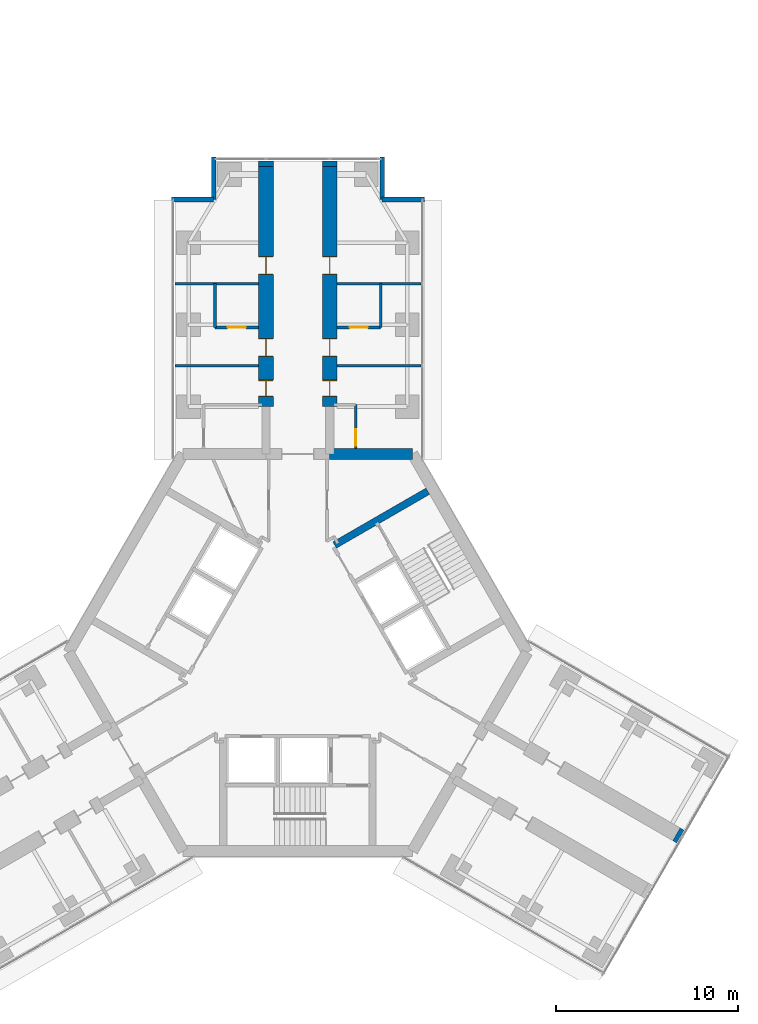
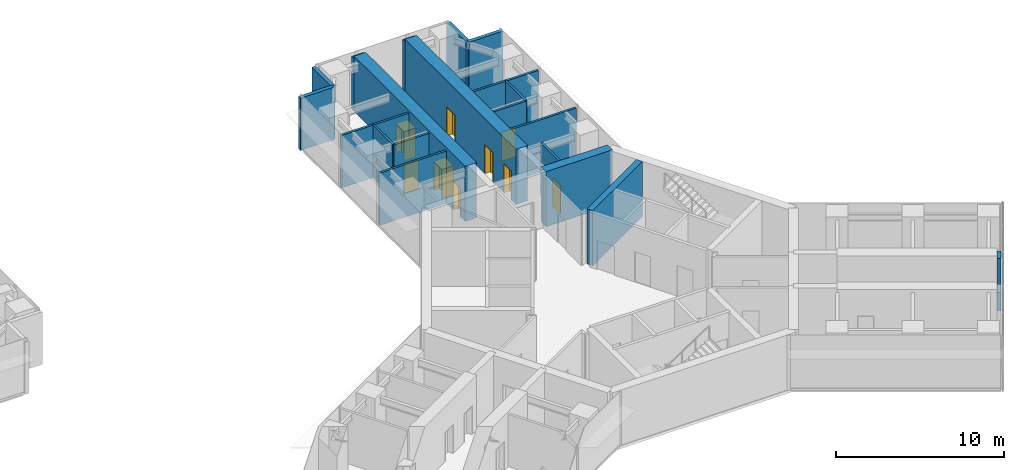
# One storey, part 20 of 22: 20 walls, 9 doors, 9 openings.
"""IFC4 building model written with IfcOpenShell, lengths in metres."""

import ifcopenshell
import ifcopenshell.guid

model = None  # the IFC model being written
_history = None  # IfcOwnerHistory: only IFC2X3 demands one
_inside = {}  # id of a spatial element -> (the spatial element, [elements in it])
_under = {}  # id of a project, library or spatial element -> (it, [spatial elements below it])
_declared = {}  # id of a project -> (the project, [libraries it declares])
_typed = {}  # id of a type object -> (the type object, [elements of that type])
_made_of = {}  # id of a material, layer set ... -> (it, [elements and type objects made of it])


def new_model(schema):
    """Start an empty IFC model of exactly this schema.

    Asked for "IFC4X3", IfcOpenShell would pick the latest addendum, in which some entities
    have other attributes; the version numbers below select the first issue.
    IFC2X3 requires an IfcOwnerHistory on every rooted entity: one is made here for all.
    """
    global model, _history
    if schema == "IFC4X3":
        model = ifcopenshell.file(schema_version=(4, 3, 0, 0))
    else:
        model = ifcopenshell.file(schema=schema)
    _inside.clear()
    _under.clear()
    _declared.clear()
    _typed.clear()
    _made_of.clear()
    _history = None
    if model.schema == "IFC2X3":
        org = make("IfcOrganization", Name="unknown")
        user = make(
            "IfcPersonAndOrganization",
            ThePerson=make("IfcPerson", FamilyName="unknown"),
            TheOrganization=org,
        )
        app = make(
            "IfcApplication",
            ApplicationDeveloper=org,
            Version="unknown",
            ApplicationFullName="unknown",
            ApplicationIdentifier="unknown",
        )
        _history = make(
            "IfcOwnerHistory",
            OwningUser=user,
            OwningApplication=app,
            ChangeAction="ADDED",
            CreationDate=0,
        )
    return model


def make(cls, **values):
    """One entity of the class cls with the attributes given. An attribute that is None is left unset."""
    return model.create_entity(
        cls, **{name: value for name, value in values.items() if value is not None}
    )


def rooted(cls, **values):
    """An entity with a GlobalId (a new one), such as an element, a storey or a relation."""
    return make(cls, GlobalId=ifcopenshell.guid.new(), OwnerHistory=_history, **values)


def si_unit(unit_type, name, prefix=None):
    """IfcSIUnit, for example si_unit("LENGTHUNIT", "METRE", prefix="MILLI")."""
    return make("IfcSIUnit", UnitType=unit_type, Prefix=prefix, Name=name)


def assignment(units):
    """IfcUnitAssignment: the units of a project."""
    return None if units is None else make("IfcUnitAssignment", Units=units)


def point(xyz):
    """IfcCartesianPoint."""
    return None if xyz is None else make("IfcCartesianPoint", Coordinates=xyz)


def direction(xyz):
    """IfcDirection."""
    return None if xyz is None else make("IfcDirection", DirectionRatios=xyz)


def frame(location, z_axis=None, x_axis=None):
    """IfcAxis2Placement3D, a coordinate frame: its origin and axes. An axis left out is left unset."""
    return make(
        "IfcAxis2Placement3D",
        Location=point(location),
        Axis=direction(z_axis),
        RefDirection=direction(x_axis),
    )


def frame_2d(location, x_axis=None):
    """IfcAxis2Placement2D, a coordinate frame in the plane: its origin and x axis."""
    return make(
        "IfcAxis2Placement2D", Location=point(location), RefDirection=direction(x_axis)
    )


def origin():
    """The frame at (0, 0, 0) with its axes left unset."""
    return frame((0.0, 0.0, 0.0))


def place(relative_to, where):
    """IfcLocalPlacement: puts the frame where relative to a parent placement (None: the world)."""
    return make(
        "IfcLocalPlacement", PlacementRelTo=relative_to, RelativePlacement=where
    )


def context(
    kind, dimensions, precision=None, world=None, true_north=None, identifier=None
):
    """IfcGeometricRepresentationContext, for example the 3D "Model" context."""
    return make(
        "IfcGeometricRepresentationContext",
        ContextIdentifier=identifier,
        ContextType=kind,
        CoordinateSpaceDimension=dimensions,
        Precision=precision,
        WorldCoordinateSystem=world,
        TrueNorth=true_north,
    )


def subcontext(parent, identifier, kind, view, scale=None):
    """IfcGeometricRepresentationSubContext, for example "Body" below "Model"."""
    return make(
        "IfcGeometricRepresentationSubContext",
        ContextIdentifier=identifier,
        ContextType=kind,
        ParentContext=parent,
        TargetScale=scale,
        TargetView=view,
    )


def project(units=None, contexts=None):
    """IfcProject with its units and contexts."""
    return rooted(
        "IfcProject",
        Name="project",
        RepresentationContexts=contexts,
        UnitsInContext=assignment(units),
    )


def spatial(cls, under=None, at=None, **own):
    """A site, building, storey or space (cls), placed at a placement, below another one or the project."""
    s = rooted(cls, ObjectPlacement=at, **own)
    if under is not None:
        _under.setdefault(under.id(), (under, []))[1].append(s)
    return s


def profile(cls, at=None, kind="AREA", **sizes):
    """A parametric profile (cls). Its sizes go by their IFC names, for example OverallWidth=200.0."""
    return make(cls, ProfileType=kind, Position=at, **sizes)


def rectangle(**sizes):
    """IfcRectangleProfileDef."""
    return profile("IfcRectangleProfileDef", **sizes)


def extrude(swept, where, along, depth):
    """IfcExtrudedAreaSolid: the profile swept, set in the frame where, extruded along a direction by depth."""
    return make(
        "IfcExtrudedAreaSolid",
        SweptArea=swept,
        Position=where,
        ExtrudedDirection=direction(along),
        Depth=depth,
    )


def shape(context_of_items, identifier, shape_type, items):
    """IfcShapeRepresentation: the items that make up one representation, for example the "Body"."""
    return make(
        "IfcShapeRepresentation",
        ContextOfItems=context_of_items,
        RepresentationIdentifier=identifier,
        RepresentationType=shape_type,
        Items=items,
    )


def material(Name=None, Category=None):
    """IfcMaterial."""
    return make("IfcMaterial", Name=Name, Category=Category)


def layer(
    of_material, thickness, ventilated=None, Name=None, Category=None, Priority=None
):
    """IfcMaterialLayer: one layer of a wall or slab, of a material (None: an air gap)."""
    return make(
        "IfcMaterialLayer",
        Material=of_material,
        LayerThickness=thickness,
        IsVentilated=ventilated,
        Name=Name,
        Category=Category,
        Priority=Priority,
    )


def layer_set(layers, Name=None):
    """IfcMaterialLayerSet."""
    return make("IfcMaterialLayerSet", MaterialLayers=layers, LayerSetName=Name)


def made_of(thing, what):
    """Note that an element or type object is made of a material, layer set ...; save() writes the relation."""
    if what is not None:
        _made_of.setdefault(what.id(), (what, []))[1].append(thing)
    return thing


def type_object(cls, material=None, **own):
    """A type object (cls), such as IfcWallType, which elements share."""
    return made_of(rooted(cls, **own), material)


def element(
    cls,
    number,
    at=None,
    inside=None,
    cuts=None,
    type_object=None,
    material=None,
    context=None,
    identifier="Body",
    shape_type=None,
    held_by="IfcProductDefinitionShape",
    body=None,
    shapes=None,
    **own,
):
    """One element of the class cls, such as IfcWall. Its Tag is "e" and its number.

    at: its placement. inside: the storey or other place that contains it. cuts: it is an
    opening in that element (IfcRelVoidsElement). A single representation is given by context,
    identifier, shape_type and body (its items); several are given by shapes. held_by: the class
    of the entity that holds the representations. save() writes the other relations.
    """
    e = rooted(cls, Tag="e%d" % number, ObjectPlacement=at, **own)
    if body is not None:
        shapes = [shape(context, identifier, shape_type, body)]
    if shapes is not None:
        e.Representation = make(held_by, Representations=shapes)
    if inside is not None:
        _inside.setdefault(inside.id(), (inside, []))[1].append(e)
    if cuts is not None:
        rooted(
            "IfcRelVoidsElement", RelatingBuildingElement=cuts, RelatedOpeningElement=e
        )
    if type_object is not None:
        _typed.setdefault(type_object.id(), (type_object, []))[1].append(e)
    return made_of(e, material)


def fill(opening, filler):
    """IfcRelFillsElement: the door or window that sits in an opening."""
    return rooted(
        "IfcRelFillsElement",
        RelatingOpeningElement=opening,
        RelatedBuildingElement=filler,
    )


def aggregate(whole, parts):
    """IfcRelAggregates: a whole, such as a stair, and the parts it consists of."""
    return rooted("IfcRelAggregates", RelatingObject=whole, RelatedObjects=parts)


def save(model, path):
    """Write the relations noted so far, then the file.

    IfcRelAggregates (storeys below a building ...), IfcRelContainedInSpatialStructure (elements
    in a storey), IfcRelDefinesByType, IfcRelAssociatesMaterial and IfcRelDeclares: one each for
    every whole, place, type object, material and project.
    """
    for whole, parts in _under.values():
        aggregate(whole, parts)
    for where, things in _inside.values():
        rooted(
            "IfcRelContainedInSpatialStructure",
            RelatedElements=things,
            RelatingStructure=where,
        )
    for kind, things in _typed.values():
        rooted("IfcRelDefinesByType", RelatedObjects=things, RelatingType=kind)
    for what, things in _made_of.values():
        rooted("IfcRelAssociatesMaterial", RelatedObjects=things, RelatingMaterial=what)
    for by, libraries in _declared.values():
        rooted("IfcRelDeclares", RelatingContext=by, RelatedDefinitions=libraries)
    model.write(path)


model = new_model("IFC4")

# Units and contexts
model_context = context("Model", 3, precision=1e-05, world=origin(), true_north=direction((0.0, 1.0)))
body_context = subcontext(model_context, "Body", "Model", "MODEL_VIEW")
ifc_project = project(units=[si_unit("LENGTHUNIT", "METRE"), si_unit("AREAUNIT", "SQUARE_METRE"), si_unit("VOLUMEUNIT", "CUBIC_METRE"), si_unit("PLANEANGLEUNIT", "RADIAN"), si_unit("MASSUNIT", "GRAM", prefix="KILO")], contexts=[model_context])

# Site, building, storey
site_placement = place(None, origin())
site = spatial("IfcSite", under=ifc_project, at=site_placement, CompositionType="ELEMENT")
building_placement = place(site_placement, origin())
building = spatial("IfcBuilding", under=site, at=building_placement, Name="Upepo Twin Towers", CompositionType="ELEMENT")
storey_placement = place(building_placement, frame((0.0, 0.0, 121.5)))
storey = spatial("IfcBuildingStorey", under=building, at=storey_placement, Name="L29", CompositionType="ELEMENT", Elevation=121.5)

# Walls
ifc_material_1 = material(Name="Dense concrete blockwork", Category="masonry")
ifc_layer_1 = layer(ifc_material_1, 0.800048828125)
ifc_layer_set_1 = layer_set([ifc_layer_1], Name="Buttress closer 800, blockwork with fire-stopping to the curtain wall")
wall_type_1 = type_object("IfcWallType", Name="Buttress closer 800, blockwork with fire-stopping to the curtain wall", PredefinedType="PARTITIONING", material=ifc_layer_set_1)
for number, where, z_axis, x_axis, name in (
    (1, (56.75, 8.699951171875, 0.0), (0.0, 0.0, 1.0), (0.0, 1.0, 0.0), "T2 L29 wing A buttress closer L"),
    (2, (60.25, 8.699951171875, 0.0), (0.0, 0.0, 1.0), (0.0, 1.0, 0.0), "T2 L29 wing A buttress closer R"),
):
    element("IfcWall", number, at=place(storey_placement, frame(where, z_axis=z_axis, x_axis=x_axis)), inside=storey, type_object=wall_type_1, Name=name, PredefinedType="PARTITIONING", context=body_context, shape_type="SweptSolid", body=[
        extrude(rectangle(XDim=0.300048828125, YDim=0.800048828125, at=frame_2d((0.14990234375, 0.0))), origin(), (0.0, 0.0, 1.0), 3.800048828125),
    ])
wall_1_placement = place(storey_placement, frame((79.293701171875, -27.984375, 0.0), z_axis=(0.0, 0.0, 1.0), x_axis=(0.865827443207, -0.500342721131, 0.0)))
element("IfcWall", 3, at=wall_1_placement, inside=storey, type_object=wall_type_1, Name="T2 L29 wing C buttress closer L", PredefinedType="PARTITIONING", context=body_context, shape_type="SweptSolid", body=[
    extrude(rectangle(XDim=0.249755859375, YDim=0.800048828125, at=frame_2d((0.125, 0.0))), origin(), (0.0, 0.0, 1.0), 3.800048828125),
])

# Wall, openings, doors
ifc_material_2 = material(Name="Concrete C60/75", Category="concrete")
ifc_layer_2 = layer(ifc_material_2, 0.800048828125)
ifc_layer_set_2 = layer_set([ifc_layer_2], Name="Concrete C60/75")
wall_type_2 = type_object("IfcWallType", Name="Buttress wall 800 RC", PredefinedType="SHEAR", material=ifc_layer_set_2)
wall_2_placement = place(storey_placement, frame((56.75, -4.5, 0.0), z_axis=(0.0, 0.0, 1.0), x_axis=(0.0, 1.0, 0.0)))
wall_2 = element("IfcWall", 4, at=wall_2_placement, inside=storey, type_object=wall_type_2, Name="T2 wing A buttress wall L part 2", PredefinedType="SHEAR", context=body_context, shape_type="SweptSolid", body=[
    extrude(rectangle(XDim=13.199951171875, YDim=0.800048828125, at=frame_2d((6.60009765625, 0.0))), origin(), (0.0, 0.0, 1.0), 4.0),
])
opening_1_placement = place(wall_2_placement, frame((0.550048828125, 0.0, 0.0)))
opening_1 = element("IfcOpeningElement", 5, at=opening_1_placement, cuts=wall_2, Name="Opening D11", PredefinedType="OPENING", context=body_context, shape_type="SweptSolid", body=[
    extrude(rectangle(XDim=0.89990234375, YDim=2.10009765625, at=frame_2d((0.449951171875, 1.050048828125))), frame((0.0, 0.409912109375, 0.0), z_axis=(0.0, -1.0, 0.0), x_axis=(1.0, 0.0, 0.0)), (0.0, 0.0, 1.0), 0.820068359375),
])
opening_2_placement = place(wall_2_placement, frame((2.75, 0.0, 0.0)))
opening_2 = element("IfcOpeningElement", 6, at=opening_2_placement, cuts=wall_2, Name="Opening D1", PredefinedType="OPENING", context=body_context, shape_type="SweptSolid", body=[
    extrude(rectangle(XDim=1.0, YDim=2.10009765625, at=frame_2d((0.5, 1.050048828125))), frame((0.0, 0.409912109375, 0.0), z_axis=(0.0, -1.0, 0.0), x_axis=(1.0, 0.0, 0.0)), (0.0, 0.0, 1.0), 0.820068359375),
])
opening_3_placement = place(wall_2_placement, frame((7.25, 0.0, 0.0)))
opening_3 = element("IfcOpeningElement", 7, at=opening_3_placement, cuts=wall_2, Name="Opening D1", PredefinedType="OPENING", context=body_context, shape_type="SweptSolid", body=[
    extrude(rectangle(XDim=1.0, YDim=2.10009765625, at=frame_2d((0.5, 1.050048828125))), frame((0.0, 0.409912109375, 0.0), z_axis=(0.0, -1.0, 0.0), x_axis=(1.0, 0.0, 0.0)), (0.0, 0.0, 1.0), 0.820068359375),
])
ifc_material_3 = material(Name="Timber doorset", Category="wood")
door_type_1 = type_object("IfcDoorType", Name="Room door 1000 FD30", OperationType="SINGLE_SWING_LEFT", PredefinedType="DOOR", material=ifc_material_3)
door_1_placement = place(opening_2_placement, origin())
door_1 = element("IfcDoor", 8, at=door_1_placement, inside=storey, type_object=door_type_1, Name="T2 L29 tutorial room door", OperationType="SINGLE_SWING_LEFT", OverallHeight=2.10009765625, OverallWidth=1.0, PredefinedType="DOOR", context=body_context, shape_type="SweptSolid", body=[
    extrude(rectangle(XDim=0.92, YDim=2.06009765625, at=frame_2d((0.5, 1.030029296875))), frame((0.0, 0.02490234375, 0.0), z_axis=(0.0, -1.0, 0.0), x_axis=(1.0, 0.0, 0.0)), (0.0, 0.0, 1.0), 0.050048828125),
    extrude(rectangle(XDim=0.04, YDim=2.10009765625, at=frame_2d((0.02001953125, 1.050048828125))), frame((0.0, 0.39990234375, 0.0), z_axis=(0.0, -1.0, 0.0), x_axis=(1.0, 0.0, 0.0)), (0.0, 0.0, 1.0), 0.799560546875),
    extrude(rectangle(XDim=0.04, YDim=2.10009765625, at=frame_2d((0.97998046875, 1.050048828125))), frame((0.0, 0.39990234375, 0.0), z_axis=(0.0, -1.0, 0.0), x_axis=(1.0, 0.0, 0.0)), (0.0, 0.0, 1.0), 0.799560546875),
    extrude(rectangle(XDim=0.92, YDim=0.04, at=frame_2d((0.5, 2.080078125))), frame((0.0, 0.39990234375, 0.0), z_axis=(0.0, -1.0, 0.0), x_axis=(1.0, 0.0, 0.0)), (0.0, 0.0, 1.0), 0.799560546875),
])
fill(opening_2, door_1)
door_2_placement = place(opening_3_placement, origin())
door_2 = element("IfcDoor", 9, at=door_2_placement, inside=storey, type_object=door_type_1, Name="T2 L29 staff office door", OperationType="SINGLE_SWING_RIGHT", OverallHeight=2.10009765625, OverallWidth=1.0, PredefinedType="DOOR", context=body_context, shape_type="SweptSolid", body=[
    extrude(rectangle(XDim=0.92, YDim=2.06009765625, at=frame_2d((0.5, 1.030029296875))), frame((0.0, 0.02490234375, 0.0), z_axis=(0.0, -1.0, 0.0), x_axis=(1.0, 0.0, 0.0)), (0.0, 0.0, 1.0), 0.050048828125),
    extrude(rectangle(XDim=0.04, YDim=2.10009765625, at=frame_2d((0.02001953125, 1.050048828125))), frame((0.0, 0.39990234375, 0.0), z_axis=(0.0, -1.0, 0.0), x_axis=(1.0, 0.0, 0.0)), (0.0, 0.0, 1.0), 0.799560546875),
    extrude(rectangle(XDim=0.04, YDim=2.10009765625, at=frame_2d((0.97998046875, 1.050048828125))), frame((0.0, 0.39990234375, 0.0), z_axis=(0.0, -1.0, 0.0), x_axis=(1.0, 0.0, 0.0)), (0.0, 0.0, 1.0), 0.799560546875),
    extrude(rectangle(XDim=0.92, YDim=0.04, at=frame_2d((0.5, 2.080078125))), frame((0.0, 0.39990234375, 0.0), z_axis=(0.0, -1.0, 0.0), x_axis=(1.0, 0.0, 0.0)), (0.0, 0.0, 1.0), 0.799560546875),
])
fill(opening_3, door_2)
ifc_material_4 = material(Name="Timber doorset", Category="wood")
door_type_2 = type_object("IfcDoorType", Name="Toilet door 900", OperationType="SINGLE_SWING_LEFT", PredefinedType="DOOR", material=ifc_material_4)
door_3_placement = place(opening_1_placement, origin())
door_3 = element("IfcDoor", 10, at=door_3_placement, inside=storey, type_object=door_type_2, Name="T2 L29 accessible wc door", OperationType="SINGLE_SWING_LEFT", OverallHeight=2.10009765625, OverallWidth=0.89990234375, PredefinedType="DOOR", context=body_context, shape_type="SweptSolid", body=[
    extrude(rectangle(XDim=0.81990234375, YDim=2.06009765625, at=frame_2d((0.449951171875, 1.030029296875))), frame((0.0, 0.02490234375, 0.0), z_axis=(0.0, -1.0, 0.0), x_axis=(1.0, 0.0, 0.0)), (0.0, 0.0, 1.0), 0.050048828125),
    extrude(rectangle(XDim=0.04, YDim=2.10009765625, at=frame_2d((0.02001953125, 1.050048828125))), frame((0.0, 0.39990234375, 0.0), z_axis=(0.0, -1.0, 0.0), x_axis=(1.0, 0.0, 0.0)), (0.0, 0.0, 1.0), 0.799560546875),
    extrude(rectangle(XDim=0.04, YDim=2.10009765625, at=frame_2d((0.8798828125, 1.050048828125))), frame((0.0, 0.39990234375, 0.0), z_axis=(0.0, -1.0, 0.0), x_axis=(1.0, 0.0, 0.0)), (0.0, 0.0, 1.0), 0.799560546875),
    extrude(rectangle(XDim=0.81990234375, YDim=0.04, at=frame_2d((0.449951171875, 2.080078125))), frame((0.0, 0.39990234375, 0.0), z_axis=(0.0, -1.0, 0.0), x_axis=(1.0, 0.0, 0.0)), (0.0, 0.0, 1.0), 0.799560546875),
])
fill(opening_1, door_3)

wall_3_placement = place(storey_placement, frame((60.25, -4.5, 0.0), z_axis=(0.0, 0.0, 1.0), x_axis=(0.0, 1.0, 0.0)))
wall_3 = element("IfcWall", 11, at=wall_3_placement, inside=storey, type_object=wall_type_2, Name="T2 wing A buttress wall R part 2", PredefinedType="SHEAR", context=body_context, shape_type="SweptSolid", body=[
    extrude(rectangle(XDim=13.199951171875, YDim=0.800048828125, at=frame_2d((6.60009765625, 0.0))), origin(), (0.0, 0.0, 1.0), 4.0),
])
opening_4_placement = place(wall_3_placement, frame((0.550048828125, 0.0, 0.0)))
opening_4 = element("IfcOpeningElement", 12, at=opening_4_placement, cuts=wall_3, Name="Opening D11", PredefinedType="OPENING", context=body_context, shape_type="SweptSolid", body=[
    extrude(rectangle(XDim=0.89990234375, YDim=2.10009765625, at=frame_2d((0.449951171875, 1.050048828125))), frame((0.0, 0.409912109375, 0.0), z_axis=(0.0, -1.0, 0.0), x_axis=(1.0, 0.0, 0.0)), (0.0, 0.0, 1.0), 0.820068359375),
])
opening_5_placement = place(wall_3_placement, frame((2.75, 0.0, 0.0)))
opening_5 = element("IfcOpeningElement", 13, at=opening_5_placement, cuts=wall_3, Name="Opening D1", PredefinedType="OPENING", context=body_context, shape_type="SweptSolid", body=[
    extrude(rectangle(XDim=1.0, YDim=2.10009765625, at=frame_2d((0.5, 1.050048828125))), frame((0.0, 0.409912109375, 0.0), z_axis=(0.0, -1.0, 0.0), x_axis=(1.0, 0.0, 0.0)), (0.0, 0.0, 1.0), 0.820068359375),
])
opening_6_placement = place(wall_3_placement, frame((7.25, 0.0, 0.0)))
opening_6 = element("IfcOpeningElement", 14, at=opening_6_placement, cuts=wall_3, Name="Opening D1", PredefinedType="OPENING", context=body_context, shape_type="SweptSolid", body=[
    extrude(rectangle(XDim=1.0, YDim=2.10009765625, at=frame_2d((0.5, 1.050048828125))), frame((0.0, 0.409912109375, 0.0), z_axis=(0.0, -1.0, 0.0), x_axis=(1.0, 0.0, 0.0)), (0.0, 0.0, 1.0), 0.820068359375),
])
door_4_placement = place(opening_5_placement, origin())
door_4 = element("IfcDoor", 15, at=door_4_placement, inside=storey, type_object=door_type_1, Name="T2 L29 seminar room door", OperationType="SINGLE_SWING_LEFT", OverallHeight=2.10009765625, OverallWidth=1.0, PredefinedType="DOOR", context=body_context, shape_type="SweptSolid", body=[
    extrude(rectangle(XDim=0.92, YDim=2.06009765625, at=frame_2d((0.5, 1.030029296875))), frame((0.0, 0.02490234375, 0.0), z_axis=(0.0, -1.0, 0.0), x_axis=(1.0, 0.0, 0.0)), (0.0, 0.0, 1.0), 0.050048828125),
    extrude(rectangle(XDim=0.04, YDim=2.10009765625, at=frame_2d((0.02001953125, 1.050048828125))), frame((0.0, 0.39990234375, 0.0), z_axis=(0.0, -1.0, 0.0), x_axis=(1.0, 0.0, 0.0)), (0.0, 0.0, 1.0), 0.799560546875),
    extrude(rectangle(XDim=0.04, YDim=2.10009765625, at=frame_2d((0.97998046875, 1.050048828125))), frame((0.0, 0.39990234375, 0.0), z_axis=(0.0, -1.0, 0.0), x_axis=(1.0, 0.0, 0.0)), (0.0, 0.0, 1.0), 0.799560546875),
    extrude(rectangle(XDim=0.92, YDim=0.04, at=frame_2d((0.5, 2.080078125))), frame((0.0, 0.39990234375, 0.0), z_axis=(0.0, -1.0, 0.0), x_axis=(1.0, 0.0, 0.0)), (0.0, 0.0, 1.0), 0.799560546875),
])
fill(opening_5, door_4)
door_5_placement = place(opening_6_placement, origin())
door_5 = element("IfcDoor", 16, at=door_5_placement, inside=storey, type_object=door_type_1, Name="T2 L29 tutorial room door", OperationType="SINGLE_SWING_RIGHT", OverallHeight=2.10009765625, OverallWidth=1.0, PredefinedType="DOOR", context=body_context, shape_type="SweptSolid", body=[
    extrude(rectangle(XDim=0.92, YDim=2.06009765625, at=frame_2d((0.5, 1.030029296875))), frame((0.0, 0.02490234375, 0.0), z_axis=(0.0, -1.0, 0.0), x_axis=(1.0, 0.0, 0.0)), (0.0, 0.0, 1.0), 0.050048828125),
    extrude(rectangle(XDim=0.04, YDim=2.10009765625, at=frame_2d((0.02001953125, 1.050048828125))), frame((0.0, 0.39990234375, 0.0), z_axis=(0.0, -1.0, 0.0), x_axis=(1.0, 0.0, 0.0)), (0.0, 0.0, 1.0), 0.799560546875),
    extrude(rectangle(XDim=0.04, YDim=2.10009765625, at=frame_2d((0.97998046875, 1.050048828125))), frame((0.0, 0.39990234375, 0.0), z_axis=(0.0, -1.0, 0.0), x_axis=(1.0, 0.0, 0.0)), (0.0, 0.0, 1.0), 0.799560546875),
    extrude(rectangle(XDim=0.92, YDim=0.04, at=frame_2d((0.5, 2.080078125))), frame((0.0, 0.39990234375, 0.0), z_axis=(0.0, -1.0, 0.0), x_axis=(1.0, 0.0, 0.0)), (0.0, 0.0, 1.0), 0.799560546875),
])
fill(opening_6, door_5)
door_6_placement = place(opening_4_placement, origin())
door_6 = element("IfcDoor", 17, at=door_6_placement, inside=storey, type_object=door_type_2, Name="T2 L29 toilets door", OperationType="SINGLE_SWING_LEFT", OverallHeight=2.10009765625, OverallWidth=0.89990234375, PredefinedType="DOOR", context=body_context, shape_type="SweptSolid", body=[
    extrude(rectangle(XDim=0.81990234375, YDim=2.06009765625, at=frame_2d((0.449951171875, 1.030029296875))), frame((0.0, 0.02490234375, 0.0), z_axis=(0.0, -1.0, 0.0), x_axis=(1.0, 0.0, 0.0)), (0.0, 0.0, 1.0), 0.050048828125),
    extrude(rectangle(XDim=0.04, YDim=2.10009765625, at=frame_2d((0.02001953125, 1.050048828125))), frame((0.0, 0.39990234375, 0.0), z_axis=(0.0, -1.0, 0.0), x_axis=(1.0, 0.0, 0.0)), (0.0, 0.0, 1.0), 0.799560546875),
    extrude(rectangle(XDim=0.04, YDim=2.10009765625, at=frame_2d((0.8798828125, 1.050048828125))), frame((0.0, 0.39990234375, 0.0), z_axis=(0.0, -1.0, 0.0), x_axis=(1.0, 0.0, 0.0)), (0.0, 0.0, 1.0), 0.799560546875),
    extrude(rectangle(XDim=0.81990234375, YDim=0.04, at=frame_2d((0.449951171875, 2.080078125))), frame((0.0, 0.39990234375, 0.0), z_axis=(0.0, -1.0, 0.0), x_axis=(1.0, 0.0, 0.0)), (0.0, 0.0, 1.0), 0.799560546875),
])
fill(opening_4, door_6)

# Walls
ifc_material_5 = material(Name="Concrete C60/75", Category="concrete")
ifc_layer_3 = layer(ifc_material_5, 0.60009765625)
ifc_layer_set_3 = layer_set([ifc_layer_3], Name="Concrete C60/75")
wall_type_3 = type_object("IfcWallType", Name="Core wall 600 RC", PredefinedType="SHEAR", material=ifc_layer_set_3)
wall_4_placement = place(storey_placement, frame((64.7978515625, -7.091552734375, 0.0), z_axis=(0.0, 0.0, 1.0), x_axis=(-1.0, 0.0, 0.0)))
element("IfcWall", 18, at=wall_4_placement, inside=storey, type_object=wall_type_3, Name="T2 core wall 000 R", PredefinedType="SHEAR", context=body_context, shape_type="SweptSolid", body=[
    extrude(rectangle(XDim=4.5478515625, YDim=0.60009765625, at=frame_2d((2.27392578125, 0.0))), origin(), (0.0, 0.0, 1.0), 4.0),
])
ifc_material_6 = material(Name="Blockwork with anodised aluminium cladding", Category="masonry")
ifc_layer_4 = layer(ifc_material_6, 0.25)
ifc_layer_set_4 = layer_set([ifc_layer_4], Name="Notch cladding wall 250, pale metal")
wall_type_4 = type_object("IfcWallType", Name="Notch cladding wall 250, pale metal", PredefinedType="STANDARD", material=ifc_layer_set_4)
for number, where, z_axis, x_axis, name in (
    (19, (51.550048828125, 6.875, 0.0), (0.0, 0.0, 1.0), (1.0, 0.0, 0.0), "T2 L29 wing A notch wall L1"),
    (20, (53.875, 6.875, 0.0), (0.0, 0.0, 1.0), (0.0, 1.0, 0.0), "T2 L29 wing A notch wall L2"),
    (21, (65.449951171875, 6.875, 0.0), (0.0, 0.0, 1.0), (-1.0, 0.0, 0.0), "T2 L29 wing A notch wall R1"),
    (22, (63.125, 6.875, 0.0), (0.0, 0.0, 1.0), (0.0, 1.0, 0.0), "T2 L29 wing A notch wall R2"),
):
    element("IfcWall", number, at=place(storey_placement, frame(where, z_axis=z_axis, x_axis=x_axis)), inside=storey, type_object=wall_type_4, Name=name, PredefinedType="STANDARD", context=body_context, shape_type="SweptSolid", body=[
        extrude(rectangle(XDim=2.324951171875, YDim=0.25, at=frame_2d((1.16259765625, 0.0))), origin(), (0.0, 0.0, 1.0), 3.800048828125),
    ])
ifc_material_7 = material(Name="Concrete C40/50", Category="concrete")
ifc_layer_5 = layer(ifc_material_7, 0.39990234375)
ifc_layer_set_5 = layer_set([ifc_layer_5], Name="Concrete C40/50")
wall_type_5 = type_object("IfcWallType", Name="Shaft wall 400 RC", PredefinedType="SHEAR", material=ifc_layer_set_5)
wall_5_placement = place(storey_placement, frame((60.520263671875, -12.099365234375, 0.0), z_axis=(0.0, 0.0, 1.0), x_axis=(0.866009424208, 0.500027676417, 0.0)))
element("IfcWall", 23, at=wall_5_placement, inside=storey, type_object=wall_type_5, Name="T2 core W300 side wall N", PredefinedType="SHEAR", context=body_context, shape_type="SweptSolid", body=[
    extrude(rectangle(XDim=5.908447265625, YDim=0.39990234375, at=frame_2d((2.9541015625, 0.0))), origin(), (0.0, 0.0, 1.0), 4.0),
])
ifc_material_8 = material(Name="Gypsum board on steel studs", Category="steel")
ifc_layer_6 = layer(ifc_material_8, 0.14990234375)
ifc_layer_set_6 = layer_set([ifc_layer_6], Name="Teaching partition 150 acoustic")
wall_type_6 = type_object("IfcWallType", Name="Teaching partition 150 acoustic", PredefinedType="PARTITIONING", material=ifc_layer_set_6)
for number, where, z_axis, x_axis, name in (
    (24, (56.35009765625, -2.25, 0.0), (0.0, 0.0, 1.0), (-1.0, 0.0, 0.0), "T2 partition AL at 15.75"),
    (25, (56.35009765625, 2.25, 0.0), (0.0, 0.0, 1.0), (-1.0, 0.0, 0.0), "T2 partition AL at 20.25"),
):
    element("IfcWall", number, at=place(storey_placement, frame(where, z_axis=z_axis, x_axis=x_axis)), inside=storey, type_object=wall_type_6, Name=name, PredefinedType="PARTITIONING", context=body_context, shape_type="SweptSolid", body=[
        extrude(rectangle(XDim=4.60009765625, YDim=0.14990234375, at=frame_2d((2.300048828125, 0.0))), origin(), (0.0, 0.0, 1.0), 3.800048828125),
    ])
wall_6_placement = place(storey_placement, frame((53.949951171875, -0.14990234375, 0.0), z_axis=(0.0, 0.0, 1.0), x_axis=(0.0, 1.0, 0.0)))
element("IfcWall", 26, at=wall_6_placement, inside=storey, type_object=wall_type_6, Name="T2 inner room partition AL at 17.85", PredefinedType="PARTITIONING", context=body_context, shape_type="SweptSolid", body=[
    extrude(rectangle(XDim=2.39990234375, YDim=0.14990234375, at=frame_2d((1.199951171875, 0.0))), origin(), (0.0, 0.0, 1.0), 3.800048828125),
])

# Wall, opening, door
wall_7_placement = place(storey_placement, frame((56.35009765625, -0.14990234375, 0.0), z_axis=(0.0, 0.0, 1.0), x_axis=(-1.0, 0.0, 0.0)))
wall_7 = element("IfcWall", 27, at=wall_7_placement, inside=storey, type_object=wall_type_6, Name="T2 inner room partition AL end at 17.85", PredefinedType="PARTITIONING", context=body_context, shape_type="SweptSolid", body=[
    extrude(rectangle(XDim=2.400146484375, YDim=0.14990234375, at=frame_2d((1.2001953125, 0.0))), origin(), (0.0, 0.0, 1.0), 3.800048828125),
])
opening_7_placement = place(wall_7_placement, frame((0.699951171875, 0.0, 0.0)))
opening_7 = element("IfcOpeningElement", 28, at=opening_7_placement, cuts=wall_7, Name="Opening D1", PredefinedType="OPENING", context=body_context, shape_type="SweptSolid", body=[
    extrude(rectangle(XDim=1.0, YDim=2.10009765625, at=frame_2d((0.5, 1.050048828125))), frame((0.0, 0.0849609375, 0.0), z_axis=(0.0, -1.0, 0.0), x_axis=(1.0, 0.0, 0.0)), (0.0, 0.0, 1.0), 0.169921875),
])
door_7_placement = place(opening_7_placement, origin())
door_7 = element("IfcDoor", 29, at=door_7_placement, inside=storey, type_object=door_type_1, Name="T2 L29 inner room door", OperationType="SINGLE_SWING_LEFT", OverallHeight=2.10009765625, OverallWidth=1.0, PredefinedType="DOOR", context=body_context, shape_type="SweptSolid", body=[
    extrude(rectangle(XDim=1.0, YDim=2.10009765625, at=frame_2d((0.5, 1.050048828125))), frame((0.0, 0.02490234375, 0.0), z_axis=(0.0, -1.0, 0.0), x_axis=(1.0, 0.0, 0.0)), (0.0, 0.0, 1.0), 0.050048828125),
])
fill(opening_7, door_7)

# Walls
for number, where, z_axis, x_axis, name in (
    (30, (60.64990234375, -2.25, 0.0), (0.0, 0.0, 1.0), (1.0, 0.0, 0.0), "T2 partition AR at 15.75"),
    (31, (60.64990234375, 2.25, 0.0), (0.0, 0.0, 1.0), (1.0, 0.0, 0.0), "T2 partition AR at 20.25"),
):
    element("IfcWall", number, at=place(storey_placement, frame(where, z_axis=z_axis, x_axis=x_axis)), inside=storey, type_object=wall_type_6, Name=name, PredefinedType="PARTITIONING", context=body_context, shape_type="SweptSolid", body=[
        extrude(rectangle(XDim=4.60009765625, YDim=0.14990234375, at=frame_2d((2.300048828125, 0.0))), origin(), (0.0, 0.0, 1.0), 3.800048828125),
    ])
wall_8_placement = place(storey_placement, frame((63.050048828125, -0.14990234375, 0.0), z_axis=(0.0, 0.0, 1.0), x_axis=(0.0, 1.0, 0.0)))
element("IfcWall", 32, at=wall_8_placement, inside=storey, type_object=wall_type_6, Name="T2 inner room partition AR at 17.85", PredefinedType="PARTITIONING", context=body_context, shape_type="SweptSolid", body=[
    extrude(rectangle(XDim=2.39990234375, YDim=0.14990234375, at=frame_2d((1.199951171875, 0.0))), origin(), (0.0, 0.0, 1.0), 3.800048828125),
])

# Wall, opening, door
wall_9_placement = place(storey_placement, frame((60.64990234375, -0.14990234375, 0.0), z_axis=(0.0, 0.0, 1.0), x_axis=(1.0, 0.0, 0.0)))
wall_9 = element("IfcWall", 33, at=wall_9_placement, inside=storey, type_object=wall_type_6, Name="T2 inner room partition AR end at 17.85", PredefinedType="PARTITIONING", context=body_context, shape_type="SweptSolid", body=[
    extrude(rectangle(XDim=2.400146484375, YDim=0.14990234375, at=frame_2d((1.2001953125, 0.0))), origin(), (0.0, 0.0, 1.0), 3.800048828125),
])
opening_8_placement = place(wall_9_placement, frame((0.699951171875, 0.0, 0.0)))
opening_8 = element("IfcOpeningElement", 34, at=opening_8_placement, cuts=wall_9, Name="Opening D1", PredefinedType="OPENING", context=body_context, shape_type="SweptSolid", body=[
    extrude(rectangle(XDim=1.0, YDim=2.10009765625, at=frame_2d((0.5, 1.050048828125))), frame((0.0, 0.0849609375, 0.0), z_axis=(0.0, -1.0, 0.0), x_axis=(1.0, 0.0, 0.0)), (0.0, 0.0, 1.0), 0.169921875),
])
door_8_placement = place(opening_8_placement, origin())
door_8 = element("IfcDoor", 35, at=door_8_placement, inside=storey, type_object=door_type_1, Name="T2 L29 inner room door", OperationType="SINGLE_SWING_LEFT", OverallHeight=2.10009765625, OverallWidth=1.0, PredefinedType="DOOR", context=body_context, shape_type="SweptSolid", body=[
    extrude(rectangle(XDim=1.0, YDim=2.10009765625, at=frame_2d((0.5, 1.050048828125))), frame((0.0, 0.02490234375, 0.0), z_axis=(0.0, -1.0, 0.0), x_axis=(1.0, 0.0, 0.0)), (0.0, 0.0, 1.0), 0.050048828125),
])
fill(opening_8, door_8)

wall_10_placement = place(storey_placement, frame((61.675048828125, -6.7919921875, 0.0), z_axis=(0.0, 0.0, 1.0), x_axis=(0.0, 1.0, 0.0)))
wall_10 = element("IfcWall", 36, at=wall_10_placement, inside=storey, type_object=wall_type_6, Name="T2 WC bay partition AR at 11.21", PredefinedType="PARTITIONING", context=body_context, shape_type="SweptSolid", body=[
    extrude(rectangle(XDim=2.39990234375, YDim=0.14990234375, at=frame_2d((1.199951171875, 0.0))), origin(), (0.0, 0.0, 1.0), 3.800048828125),
])
opening_9_placement = place(wall_10_placement, frame((0.14990234375, 0.0, 0.0)))
opening_9 = element("IfcOpeningElement", 37, at=opening_9_placement, cuts=wall_10, Name="Opening D14", PredefinedType="OPENING", context=body_context, shape_type="SweptSolid", body=[
    extrude(rectangle(XDim=0.89990234375, YDim=2.10009765625, at=frame_2d((0.449951171875, 1.050048828125))), frame((0.0, 0.0849609375, 0.0), z_axis=(0.0, -1.0, 0.0), x_axis=(1.0, 0.0, 0.0)), (0.0, 0.0, 1.0), 0.169921875),
])
ifc_material_9 = material(Name="Timber doorset", Category="wood")
door_type_3 = type_object("IfcDoorType", Name="Office door 900 FD30", OperationType="SINGLE_SWING_LEFT", PredefinedType="DOOR", material=ifc_material_9)
door_9_placement = place(opening_9_placement, origin())
door_9 = element("IfcDoor", 38, at=door_9_placement, inside=storey, type_object=door_type_3, Name="T2 L29 WC bay inner room door", OperationType="SINGLE_SWING_LEFT", OverallHeight=2.10009765625, OverallWidth=0.89990234375, PredefinedType="DOOR", context=body_context, shape_type="SweptSolid", body=[
    extrude(rectangle(XDim=0.89990234375, YDim=2.10009765625, at=frame_2d((0.449951171875, 1.050048828125))), frame((0.0, 0.02490234375, 0.0), z_axis=(0.0, -1.0, 0.0), x_axis=(1.0, 0.0, 0.0)), (0.0, 0.0, 1.0), 0.050048828125),
])
fill(opening_9, door_9)

save(model, "model.ifc")
